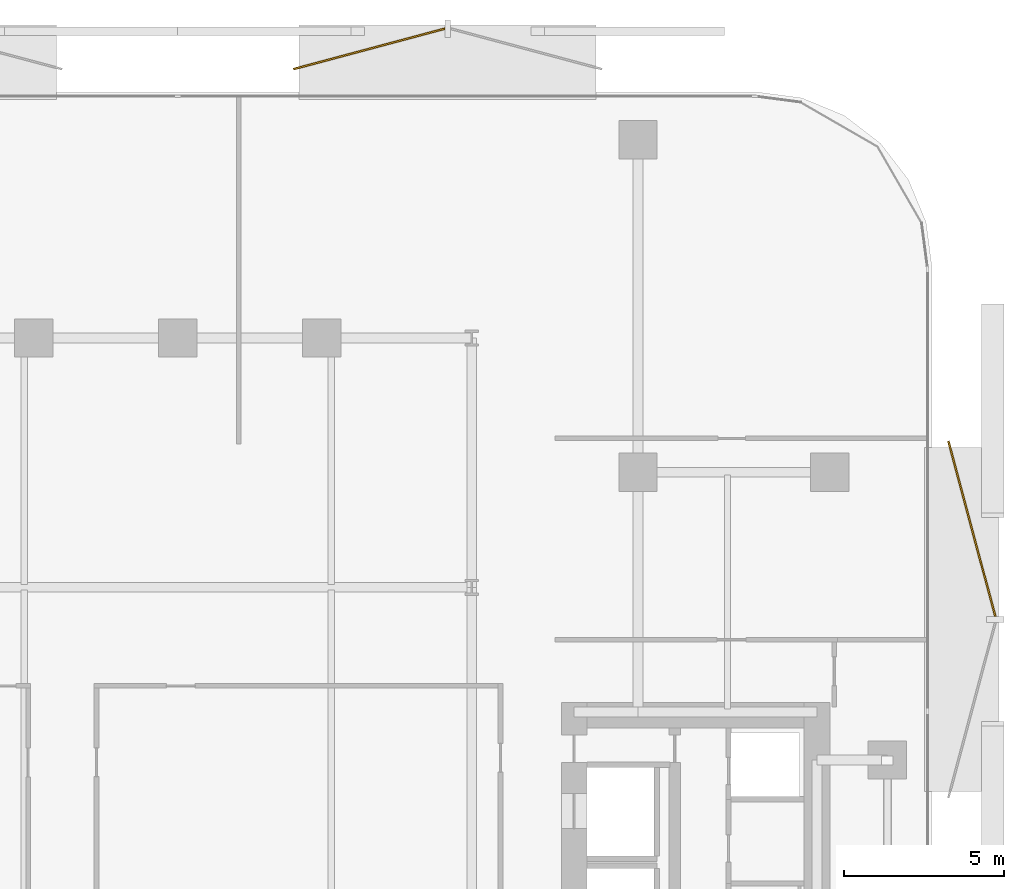
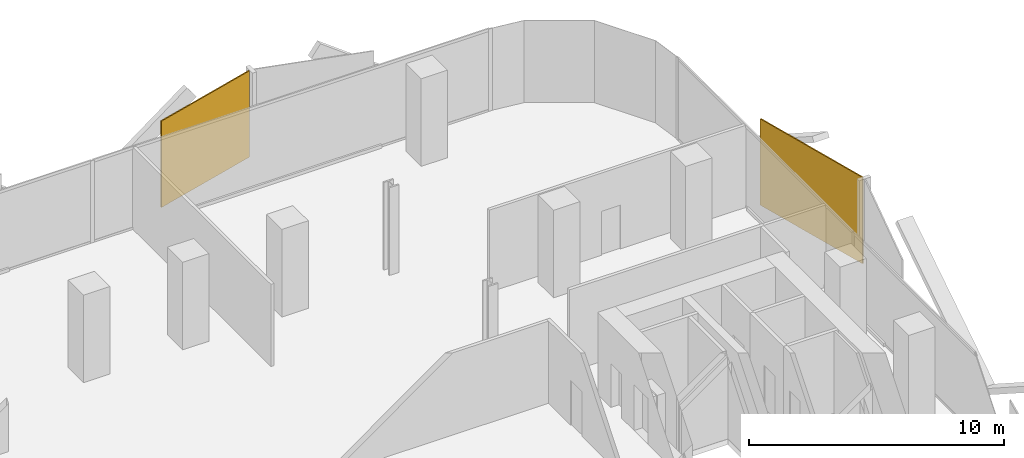
# One storey, part 15 of 15: 2 coverings.
"""IFC4 building model written with IfcOpenShell, lengths in metres."""

from ifc_helpers import new_model, si_unit, direction, frame, origin, origin_2d, place, context, subcontext, project, spatial, rectangle, extrude, material, layer, layer_set, type_object, element, save


model = new_model("IFC4")

# Units and contexts
model_context = context("Model", 3, precision=1e-05, world=origin(), true_north=direction((0.0, 1.0)))
body_context = subcontext(model_context, "Body", "Model", "MODEL_VIEW")
ifc_project = project(units=[si_unit("LENGTHUNIT", "METRE"), si_unit("AREAUNIT", "SQUARE_METRE"), si_unit("VOLUMEUNIT", "CUBIC_METRE"), si_unit("PLANEANGLEUNIT", "RADIAN"), si_unit("MASSUNIT", "GRAM", prefix="KILO")], contexts=[model_context])

# Site, building, storey
site_placement = place(None, origin())
site = spatial("IfcSite", under=ifc_project, at=site_placement, CompositionType="ELEMENT")
building_placement = place(site_placement, origin())
building = spatial("IfcBuilding", under=site, at=building_placement, Name="Khairoan Windgate Tower", CompositionType="ELEMENT")
storey_placement = place(building_placement, frame((0.0, 0.0, 105.800048828125)))
storey = spatial("IfcBuildingStorey", under=building, at=storey_placement, Name="L24", CompositionType="ELEMENT", Elevation=105.800048828125)

# Coverings
ifc_material = material(Name="Anodised Bronze Aluminium 6063-T6", Category="aluminium")
ifc_layer = layer(ifc_material, 0.054931640625, Name="Anodised Bronze Aluminium 6063-T6")
ifc_layer_set = layer_set([ifc_layer], Name="Anodised Bronze Aluminium 6063-T6")
covering_type = type_object("IfcCoveringType", Name="Perforated Bronze-Ceramic Folded Solar Screen Cladding BSC-1", PredefinedType="CLADDING", material=ifc_layer_set)
covering_1_placement = place(storey_placement, frame((5.98974609375, 27.646240234375, -0.10009765625), z_axis=(0.0, 0.0, 1.0), x_axis=(0.965925826289, 0.258819045103, 0.0)))
element("IfcCovering", 1, at=covering_1_placement, inside=storey, type_object=covering_type, Name="L24 Folded Bronze Solar Screen Facet 142L", PredefinedType="CLADDING", context=body_context, shape_type="SweptSolid", body=[
    extrude(rectangle(XDim=4.89794921875, YDim=0.054931640625, at=origin_2d()), origin(), (0.0, 0.0, 1.0), 4.139892578125),
])
covering_2_placement = place(storey_placement, frame((24.8447265625, 12.629150390625, -0.10009765625), z_axis=(0.0, 0.0, 1.0), x_axis=(0.258819045103, -0.965925826289, 0.0)))
element("IfcCovering", 2, at=covering_2_placement, inside=storey, type_object=covering_type, Name="L24 Folded Bronze Solar Screen Facet 143L", PredefinedType="CLADDING", context=body_context, shape_type="SweptSolid", body=[
    extrude(rectangle(XDim=5.680908203125, YDim=0.054931640625, at=origin_2d()), origin(), (0.0, 0.0, 1.0), 4.139892578125),
])

save(model, "model.ifc")
